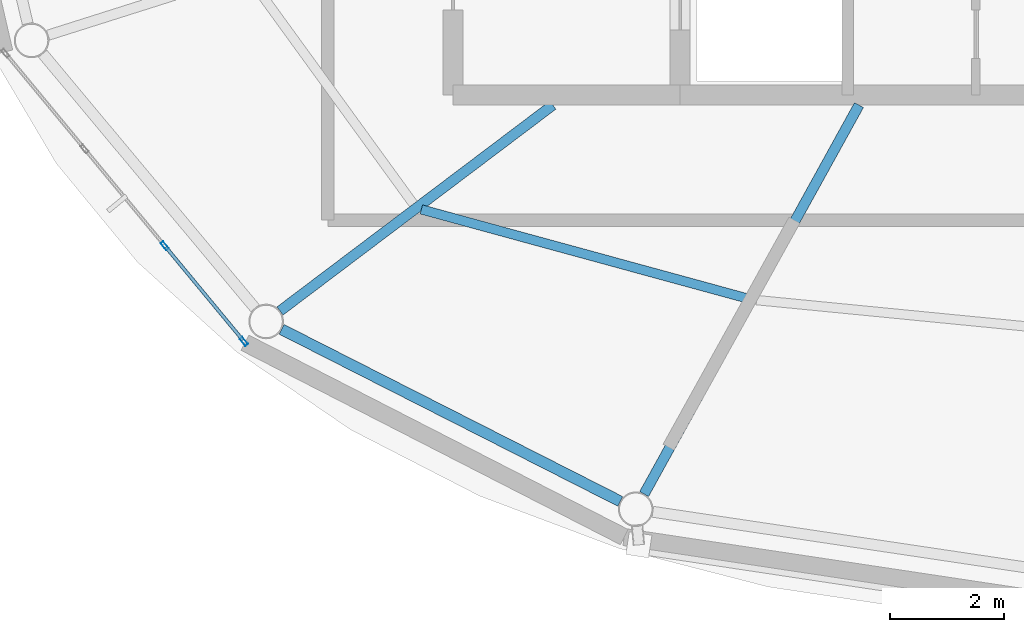
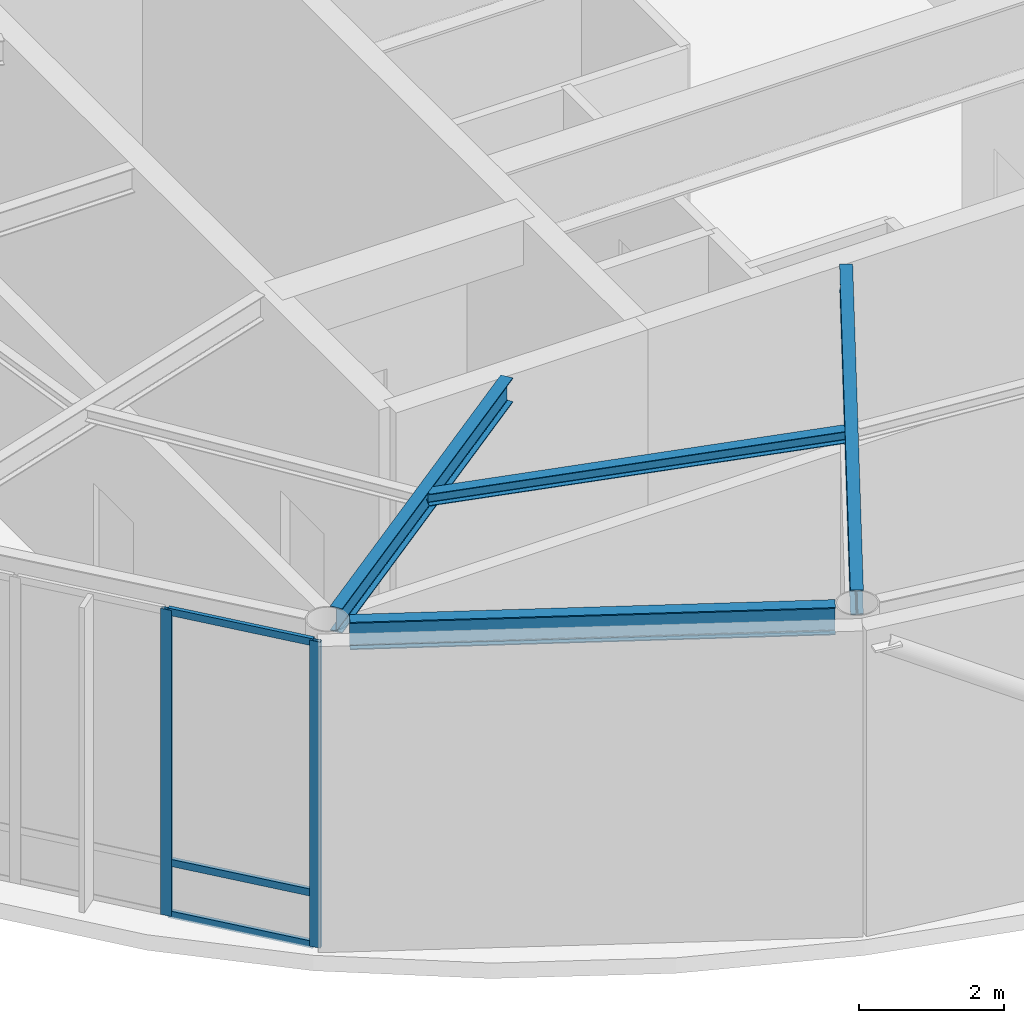
# One storey, part 2 of 14: 5 members, 4 beams, 1 element without a shape of its own.
"""IFC4 building model written with IfcOpenShell, lengths in metres."""

from ifc_helpers import new_model, si_unit, direction, frame, origin, origin_2d, place, context, subcontext, project, spatial, hollow_rectangle, i_section, extrude, material, layer, layer_set, material_profile, profile_set, type_object, element, aggregate, save


model = new_model("IFC4")

# Units and contexts
model_context = context("Model", 3, precision=1e-05, world=origin(), true_north=direction((0.0, 1.0)))
body_context = subcontext(model_context, "Body", "Model", "MODEL_VIEW")
ifc_project = project(units=[si_unit("LENGTHUNIT", "METRE"), si_unit("AREAUNIT", "SQUARE_METRE"), si_unit("VOLUMEUNIT", "CUBIC_METRE"), si_unit("PLANEANGLEUNIT", "RADIAN"), si_unit("MASSUNIT", "GRAM", prefix="KILO")], contexts=[model_context])

# Site, building, storey
site_placement = place(None, origin())
site = spatial("IfcSite", under=ifc_project, at=site_placement, CompositionType="ELEMENT")
building_placement = place(site_placement, origin())
building = spatial("IfcBuilding", under=site, at=building_placement, Name="Sarneth Arch Tower", CompositionType="ELEMENT")
storey_placement = place(building_placement, frame((0.0, 0.0, 321.60009765625)))
storey = spatial("IfcBuildingStorey", under=building, at=storey_placement, Name="L83", CompositionType="ELEMENT", Elevation=321.60009765625)

# Beams
ifc_material_1 = material(Name="Steel S355", Category="steel")
ifc_material_profile_1 = material_profile(ifc_material_1, i_section(OverallWidth=0.1650390625, OverallDepth=0.200927734375, WebThickness=0.006103515625, FlangeThickness=0.01025390625, FilletRadius=0.010009765625, at=origin_2d()), Name="W200x35.9")
ifc_profile_set_1 = profile_set([ifc_material_profile_1], Name="Steel S355")
beam_type_1 = type_object("IfcBeamType", Name="BM-JOIST-200", PredefinedType="JOIST", material=ifc_profile_set_1)
beam_1_placement = place(storey_placement, frame((36.44287109375, 33.18896484375, 5.039306640625), z_axis=(0.964665041137, -0.263479332034, 0.0), x_axis=(0.263479332034, 0.964665041137, 0.0)))
element("IfcBeam", 1, at=beam_1_placement, inside=storey, type_object=beam_type_1, Name="L83 Secondary floor joist 11", PredefinedType="JOIST", context=body_context, shape_type="SweptSolid", body=[
    extrude(i_section(OverallWidth=0.1650390625, OverallDepth=0.200927734375, WebThickness=0.006103515625, FlangeThickness=0.01025390625, FilletRadius=0.010009765625, at=origin_2d()), origin(), (0.0, 0.0, 1.0), 5.935791015625),
])
ifc_material_2 = material(Name="Steel S355", Category="steel")
ifc_material_profile_2 = material_profile(ifc_material_2, i_section(OverallWidth=0.179931640625, OverallDepth=0.4130859375, WebThickness=0.009765625, FlangeThickness=0.01611328125, FilletRadius=0.01611328125, at=origin_2d()), Name="W410x75")
ifc_profile_set_2 = profile_set([ifc_material_profile_2], Name="Steel S355")
beam_type_2 = type_object("IfcBeamType", Name="BM-RAD-410B", PredefinedType="BEAM", material=ifc_profile_set_2)
beam_2_placement = place(storey_placement, frame((38.757568359375, 35.02490234375, 4.933349609375), z_axis=(-0.798219333929, -0.602366910563, 0.0), x_axis=(0.602366910563, -0.798219333929, 0.0)))
element("IfcBeam", 2, at=beam_2_placement, inside=storey, type_object=beam_type_2, Name="L83 Radial floor girder 11", PredefinedType="BEAM", context=body_context, shape_type="SweptSolid", body=[
    extrude(i_section(OverallWidth=0.179931640625, OverallDepth=0.4130859375, WebThickness=0.009765625, FlangeThickness=0.01611328125, FilletRadius=0.01611328125, at=origin_2d()), origin(), (0.0, 0.0, 1.0), 6.01708984375),
])
beam_3_placement = place(storey_placement, frame((44.14697265625, 35.02490234375, 4.933349609375), z_axis=(-0.483540137105, -0.875322189715, 0.0), x_axis=(0.875322189715, -0.483540137105, 0.0)))
element("IfcBeam", 3, at=beam_3_placement, inside=storey, type_object=beam_type_2, Name="L83 Radial floor girder 12", PredefinedType="BEAM", context=body_context, shape_type="SweptSolid", body=[
    extrude(i_section(OverallWidth=0.179931640625, OverallDepth=0.4130859375, WebThickness=0.009765625, FlangeThickness=0.01611328125, FilletRadius=0.01611328125, at=origin_2d()), origin(), (0.0, 0.0, 1.0), 7.822509765625),
])
ifc_material_3 = material(Name="Steel S355", Category="steel")
ifc_material_profile_3 = material_profile(ifc_material_3, i_section(OverallWidth=0.19189453125, OverallDepth=0.462890625, WebThickness=0.010498046875, FlangeThickness=0.017578125, FilletRadius=0.01806640625, at=origin_2d()), Name="W460x89")
ifc_profile_set_3 = profile_set([ifc_material_profile_3], Name="Steel S355")
beam_type_3 = type_object("IfcBeamType", Name="BM-RAD-460B", PredefinedType="BEAM", material=ifc_profile_set_3)
beam_4_placement = place(storey_placement, frame((33.98291015625, 31.078369140625, 4.908447265625), z_axis=(0.891524580884, -0.45297231889, 0.0), x_axis=(0.45297231889, 0.891524580884, 0.0)))
element("IfcBeam", 4, at=beam_4_placement, inside=storey, type_object=beam_type_3, Name="L83 Perimeter spandrel beam 11", PredefinedType="BEAM", context=body_context, shape_type="SweptSolid", body=[
    extrude(i_section(OverallWidth=0.19189453125, OverallDepth=0.462890625, WebThickness=0.010498046875, FlangeThickness=0.017578125, FilletRadius=0.01806640625, at=origin_2d()), origin(), (0.0, 0.0, 1.0), 6.6875),
])

# Curtain wall, members
ifc_material_4 = material(Name="Anodised aluminium Type AA25 and solar-control low-e laminated IGU", Category="aluminium")
ifc_layer = layer(ifc_material_4, 0.18994140625)
ifc_layer_set = layer_set([ifc_layer], Name="Anodised aluminium Type AA25 and solar-control low-e laminated IGU")
curtain_wall_type = type_object("IfcCurtainWallType", Name="CW-CROWN-DRUM", PredefinedType="NOTDEFINED", material=ifc_layer_set)
curtain_wall_placement = place(storey_placement, origin())
curtain_wall = element("IfcCurtainWall", 5, at=curtain_wall_placement, inside=storey, type_object=curtain_wall_type, Name="L83 Unitised curtain wall facet 10", PredefinedType="NOTDEFINED")
ifc_material_5 = material(Name="Anodised Aluminium 6063-T6", Category="aluminium")
ifc_material_profile_4 = material_profile(ifc_material_5, hollow_rectangle(XDim=0.06005859375, YDim=0.159912109375, WallThickness=0.00390625, at=origin_2d()), Name="AL-MULL-160x60x4")
ifc_profile_set_4 = profile_set([ifc_material_profile_4], Name="Anodised Aluminium 6063-T6")
member_type_1 = type_object("IfcMemberType", Name="CW-MULLION", PredefinedType="MULLION", material=ifc_profile_set_4)
member_1_placement = place(storey_placement, frame((31.927001953125, 32.54833984375, 0.0), z_axis=(0.0, 0.0, 1.0), x_axis=(0.770446291962, 0.637504910728, 0.0)))
member_1 = element("IfcMember", 6, at=member_1_placement, type_object=member_type_1, Name="CW-SYS-7 mullion 3", PredefinedType="MULLION", context=body_context, shape_type="SweptSolid", body=[
    extrude(hollow_rectangle(XDim=0.06005859375, YDim=0.159912109375, WallThickness=0.00390625, at=origin_2d()), origin(), (0.0, 0.0, 1.0), 5.139892578125),
])
member_2_placement = place(storey_placement, frame((33.31982421875, 30.864990234375, 0.0), z_axis=(0.0, 0.0, 1.0), x_axis=(0.770446291962, 0.637504910728, 0.0)))
member_2 = element("IfcMember", 7, at=member_2_placement, type_object=member_type_1, Name="CW-SYS-7 mullion 4", PredefinedType="MULLION", context=body_context, shape_type="SweptSolid", body=[
    extrude(hollow_rectangle(XDim=0.06005859375, YDim=0.159912109375, WallThickness=0.00390625, at=origin_2d()), origin(), (0.0, 0.0, 1.0), 5.139892578125),
])
ifc_material_6 = material(Name="Anodised Aluminium 6063-T6", Category="aluminium")
ifc_material_profile_5 = material_profile(ifc_material_6, hollow_rectangle(XDim=0.06005859375, YDim=0.1201171875, WallThickness=0.00390625, at=origin_2d()), Name="AL-TRAN-120x60x4")
ifc_profile_set_5 = profile_set([ifc_material_profile_5], Name="Anodised Aluminium 6063-T6")
member_type_2 = type_object("IfcMemberType", Name="CW-TRANSOM", PredefinedType="USERDEFINED", material=ifc_profile_set_5)
member_3_placement = place(storey_placement, frame((31.946044921875, 32.525146484375, 0.02978515625), z_axis=(0.637570065512, -0.770392375068, 0.0), x_axis=(0.770392375068, 0.637570065512, 0.0)))
member_3 = element("IfcMember", 8, at=member_3_placement, type_object=member_type_2, Name="CW-SYS-7 transom 3.1", ObjectType="TRANSOM", PredefinedType="USERDEFINED", context=body_context, shape_type="SweptSolid", body=[
    extrude(hollow_rectangle(XDim=0.06005859375, YDim=0.1201171875, WallThickness=0.00390625, at=origin_2d()), origin(), (0.0, 0.0, 1.0), 2.124755859375),
])
member_4_placement = place(storey_placement, frame((31.946044921875, 32.525146484375, 0.89990234375), z_axis=(0.637570065512, -0.770392375068, 0.0), x_axis=(0.770392375068, 0.637570065512, 0.0)))
member_4 = element("IfcMember", 9, at=member_4_placement, type_object=member_type_2, Name="CW-SYS-7 transom 3.2", ObjectType="TRANSOM", PredefinedType="USERDEFINED", context=body_context, shape_type="SweptSolid", body=[
    extrude(hollow_rectangle(XDim=0.06005859375, YDim=0.1201171875, WallThickness=0.00390625, at=origin_2d()), origin(), (0.0, 0.0, 1.0), 2.124755859375),
])
member_5_placement = place(storey_placement, frame((31.946044921875, 32.525146484375, 5.10986328125), z_axis=(0.637570065512, -0.770392375068, 0.0), x_axis=(0.770392375068, 0.637570065512, 0.0)))
member_5 = element("IfcMember", 10, at=member_5_placement, type_object=member_type_2, Name="CW-SYS-7 transom 3.3", ObjectType="TRANSOM", PredefinedType="USERDEFINED", context=body_context, shape_type="SweptSolid", body=[
    extrude(hollow_rectangle(XDim=0.06005859375, YDim=0.1201171875, WallThickness=0.00390625, at=origin_2d()), origin(), (0.0, 0.0, 1.0), 2.124755859375),
])
aggregate(curtain_wall, [member_1, member_2, member_3, member_4, member_5])

save(model, "model.ifc")
